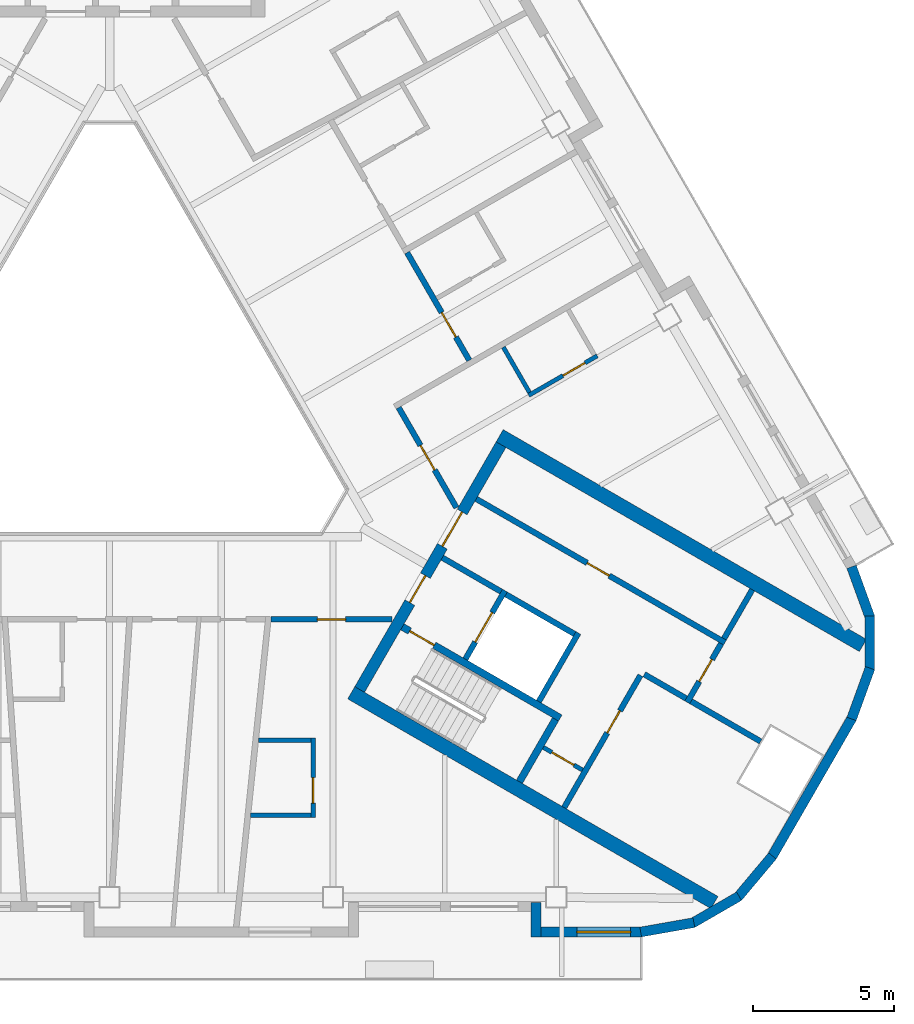
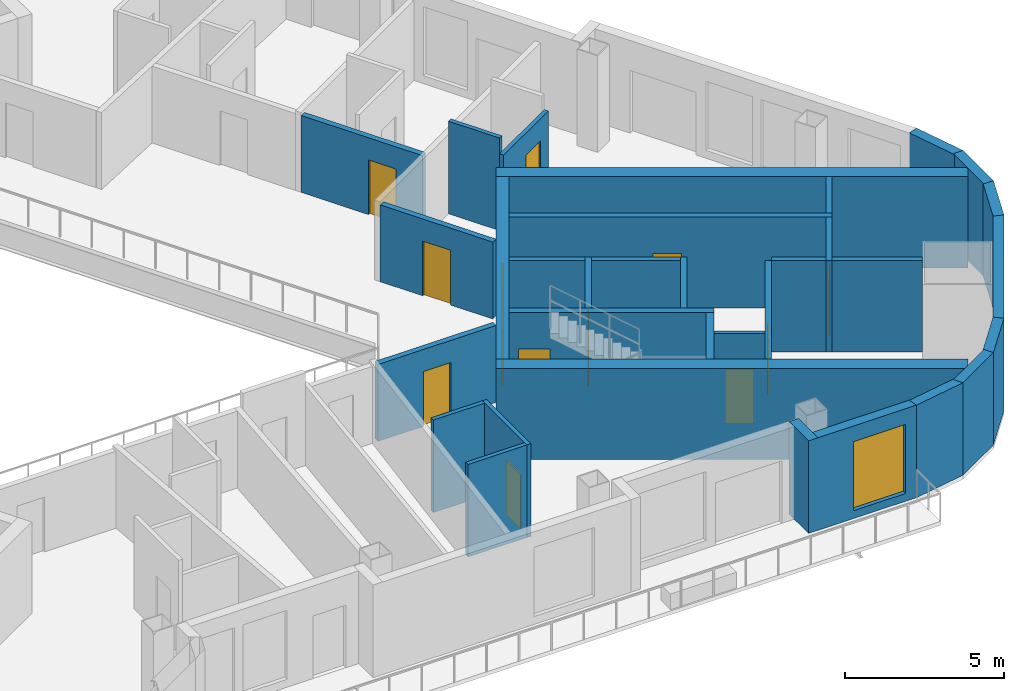
# One storey, part 5 of 14: 33 walls, 13 doors, 1 window, 14 openings.
"""IFC4 building model written with IfcOpenShell, lengths in metres."""

import ifcopenshell
import ifcopenshell.guid

model = None  # the IFC model being written
_history = None  # IfcOwnerHistory: only IFC2X3 demands one
_inside = {}  # id of a spatial element -> (the spatial element, [elements in it])
_under = {}  # id of a project, library or spatial element -> (it, [spatial elements below it])
_declared = {}  # id of a project -> (the project, [libraries it declares])
_typed = {}  # id of a type object -> (the type object, [elements of that type])
_made_of = {}  # id of a material, layer set ... -> (it, [elements and type objects made of it])


def new_model(schema):
    """Start an empty IFC model of exactly this schema.

    Asked for "IFC4X3", IfcOpenShell would pick the latest addendum, in which some entities
    have other attributes; the version numbers below select the first issue.
    IFC2X3 requires an IfcOwnerHistory on every rooted entity: one is made here for all.
    """
    global model, _history
    if schema == "IFC4X3":
        model = ifcopenshell.file(schema_version=(4, 3, 0, 0))
    else:
        model = ifcopenshell.file(schema=schema)
    _inside.clear()
    _under.clear()
    _declared.clear()
    _typed.clear()
    _made_of.clear()
    _history = None
    if model.schema == "IFC2X3":
        org = make("IfcOrganization", Name="unknown")
        user = make(
            "IfcPersonAndOrganization",
            ThePerson=make("IfcPerson", FamilyName="unknown"),
            TheOrganization=org,
        )
        app = make(
            "IfcApplication",
            ApplicationDeveloper=org,
            Version="unknown",
            ApplicationFullName="unknown",
            ApplicationIdentifier="unknown",
        )
        _history = make(
            "IfcOwnerHistory",
            OwningUser=user,
            OwningApplication=app,
            ChangeAction="ADDED",
            CreationDate=0,
        )
    return model


def make(cls, **values):
    """One entity of the class cls with the attributes given. An attribute that is None is left unset."""
    return model.create_entity(
        cls, **{name: value for name, value in values.items() if value is not None}
    )


def rooted(cls, **values):
    """An entity with a GlobalId (a new one), such as an element, a storey or a relation."""
    return make(cls, GlobalId=ifcopenshell.guid.new(), OwnerHistory=_history, **values)


def si_unit(unit_type, name, prefix=None):
    """IfcSIUnit, for example si_unit("LENGTHUNIT", "METRE", prefix="MILLI")."""
    return make("IfcSIUnit", UnitType=unit_type, Prefix=prefix, Name=name)


def assignment(units):
    """IfcUnitAssignment: the units of a project."""
    return None if units is None else make("IfcUnitAssignment", Units=units)


def point(xyz):
    """IfcCartesianPoint."""
    return None if xyz is None else make("IfcCartesianPoint", Coordinates=xyz)


def direction(xyz):
    """IfcDirection."""
    return None if xyz is None else make("IfcDirection", DirectionRatios=xyz)


def frame(location, z_axis=None, x_axis=None):
    """IfcAxis2Placement3D, a coordinate frame: its origin and axes. An axis left out is left unset."""
    return make(
        "IfcAxis2Placement3D",
        Location=point(location),
        Axis=direction(z_axis),
        RefDirection=direction(x_axis),
    )


def frame_2d(location, x_axis=None):
    """IfcAxis2Placement2D, a coordinate frame in the plane: its origin and x axis."""
    return make(
        "IfcAxis2Placement2D", Location=point(location), RefDirection=direction(x_axis)
    )


def origin():
    """The frame at (0, 0, 0) with its axes left unset."""
    return frame((0.0, 0.0, 0.0))


def place(relative_to, where):
    """IfcLocalPlacement: puts the frame where relative to a parent placement (None: the world)."""
    return make(
        "IfcLocalPlacement", PlacementRelTo=relative_to, RelativePlacement=where
    )


def context(
    kind, dimensions, precision=None, world=None, true_north=None, identifier=None
):
    """IfcGeometricRepresentationContext, for example the 3D "Model" context."""
    return make(
        "IfcGeometricRepresentationContext",
        ContextIdentifier=identifier,
        ContextType=kind,
        CoordinateSpaceDimension=dimensions,
        Precision=precision,
        WorldCoordinateSystem=world,
        TrueNorth=true_north,
    )


def subcontext(parent, identifier, kind, view, scale=None):
    """IfcGeometricRepresentationSubContext, for example "Body" below "Model"."""
    return make(
        "IfcGeometricRepresentationSubContext",
        ContextIdentifier=identifier,
        ContextType=kind,
        ParentContext=parent,
        TargetScale=scale,
        TargetView=view,
    )


def project(units=None, contexts=None):
    """IfcProject with its units and contexts."""
    return rooted(
        "IfcProject",
        Name="project",
        RepresentationContexts=contexts,
        UnitsInContext=assignment(units),
    )


def spatial(cls, under=None, at=None, **own):
    """A site, building, storey or space (cls), placed at a placement, below another one or the project."""
    s = rooted(cls, ObjectPlacement=at, **own)
    if under is not None:
        _under.setdefault(under.id(), (under, []))[1].append(s)
    return s


def profile(cls, at=None, kind="AREA", **sizes):
    """A parametric profile (cls). Its sizes go by their IFC names, for example OverallWidth=200.0."""
    return make(cls, ProfileType=kind, Position=at, **sizes)


def rectangle(**sizes):
    """IfcRectangleProfileDef."""
    return profile("IfcRectangleProfileDef", **sizes)


def extrude(swept, where, along, depth):
    """IfcExtrudedAreaSolid: the profile swept, set in the frame where, extruded along a direction by depth."""
    return make(
        "IfcExtrudedAreaSolid",
        SweptArea=swept,
        Position=where,
        ExtrudedDirection=direction(along),
        Depth=depth,
    )


def shape(context_of_items, identifier, shape_type, items):
    """IfcShapeRepresentation: the items that make up one representation, for example the "Body"."""
    return make(
        "IfcShapeRepresentation",
        ContextOfItems=context_of_items,
        RepresentationIdentifier=identifier,
        RepresentationType=shape_type,
        Items=items,
    )


def material(Name=None, Category=None):
    """IfcMaterial."""
    return make("IfcMaterial", Name=Name, Category=Category)


def layer(
    of_material, thickness, ventilated=None, Name=None, Category=None, Priority=None
):
    """IfcMaterialLayer: one layer of a wall or slab, of a material (None: an air gap)."""
    return make(
        "IfcMaterialLayer",
        Material=of_material,
        LayerThickness=thickness,
        IsVentilated=ventilated,
        Name=Name,
        Category=Category,
        Priority=Priority,
    )


def layer_set(layers, Name=None):
    """IfcMaterialLayerSet."""
    return make("IfcMaterialLayerSet", MaterialLayers=layers, LayerSetName=Name)


def made_of(thing, what):
    """Note that an element or type object is made of a material, layer set ...; save() writes the relation."""
    if what is not None:
        _made_of.setdefault(what.id(), (what, []))[1].append(thing)
    return thing


def type_object(cls, material=None, **own):
    """A type object (cls), such as IfcWallType, which elements share."""
    return made_of(rooted(cls, **own), material)


def element(
    cls,
    number,
    at=None,
    inside=None,
    cuts=None,
    type_object=None,
    material=None,
    context=None,
    identifier="Body",
    shape_type=None,
    held_by="IfcProductDefinitionShape",
    body=None,
    shapes=None,
    **own,
):
    """One element of the class cls, such as IfcWall. Its Tag is "e" and its number.

    at: its placement. inside: the storey or other place that contains it. cuts: it is an
    opening in that element (IfcRelVoidsElement). A single representation is given by context,
    identifier, shape_type and body (its items); several are given by shapes. held_by: the class
    of the entity that holds the representations. save() writes the other relations.
    """
    e = rooted(cls, Tag="e%d" % number, ObjectPlacement=at, **own)
    if body is not None:
        shapes = [shape(context, identifier, shape_type, body)]
    if shapes is not None:
        e.Representation = make(held_by, Representations=shapes)
    if inside is not None:
        _inside.setdefault(inside.id(), (inside, []))[1].append(e)
    if cuts is not None:
        rooted(
            "IfcRelVoidsElement", RelatingBuildingElement=cuts, RelatedOpeningElement=e
        )
    if type_object is not None:
        _typed.setdefault(type_object.id(), (type_object, []))[1].append(e)
    return made_of(e, material)


def fill(opening, filler):
    """IfcRelFillsElement: the door or window that sits in an opening."""
    return rooted(
        "IfcRelFillsElement",
        RelatingOpeningElement=opening,
        RelatedBuildingElement=filler,
    )


def aggregate(whole, parts):
    """IfcRelAggregates: a whole, such as a stair, and the parts it consists of."""
    return rooted("IfcRelAggregates", RelatingObject=whole, RelatedObjects=parts)


def save(model, path):
    """Write the relations noted so far, then the file.

    IfcRelAggregates (storeys below a building ...), IfcRelContainedInSpatialStructure (elements
    in a storey), IfcRelDefinesByType, IfcRelAssociatesMaterial and IfcRelDeclares: one each for
    every whole, place, type object, material and project.
    """
    for whole, parts in _under.values():
        aggregate(whole, parts)
    for where, things in _inside.values():
        rooted(
            "IfcRelContainedInSpatialStructure",
            RelatedElements=things,
            RelatingStructure=where,
        )
    for kind, things in _typed.values():
        rooted("IfcRelDefinesByType", RelatedObjects=things, RelatingType=kind)
    for what, things in _made_of.values():
        rooted("IfcRelAssociatesMaterial", RelatedObjects=things, RelatingMaterial=what)
    for by, libraries in _declared.values():
        rooted("IfcRelDeclares", RelatingContext=by, RelatedDefinitions=libraries)
    model.write(path)


model = new_model("IFC4")

# Units and contexts
model_context = context("Model", 3, precision=1e-05, world=origin(), true_north=direction((0.0, 1.0)))
body_context = subcontext(model_context, "Body", "Model", "MODEL_VIEW")
ifc_project = project(units=[si_unit("LENGTHUNIT", "METRE"), si_unit("AREAUNIT", "SQUARE_METRE"), si_unit("VOLUMEUNIT", "CUBIC_METRE"), si_unit("PLANEANGLEUNIT", "RADIAN"), si_unit("MASSUNIT", "GRAM", prefix="KILO")], contexts=[model_context])

# Site, building, storey
site_placement = place(None, origin())
site = spatial("IfcSite", under=ifc_project, at=site_placement, CompositionType="ELEMENT")
building_placement = place(site_placement, origin())
building = spatial("IfcBuilding", under=site, at=building_placement, Name="Apuvela Tower Hotel", CompositionType="ELEMENT")
storey_placement = place(building_placement, frame((0.0, 0.0, 205.800048828125)))
storey = spatial("IfcBuildingStorey", under=building, at=storey_placement, Name="L50", CompositionType="ELEMENT", Elevation=205.800048828125)

# Wall, openings, doors
ifc_material_1 = material(Name="Concrete C50/60", Category="concrete")
ifc_layer_1 = layer(ifc_material_1, 0.39990234375)
ifc_layer_set_1 = layer_set([ifc_layer_1], Name="COR-WALL-CORE-400")
wall_type_1 = type_object("IfcWallType", Name="COR-WALL-CORE-400", PredefinedType="SHEAR", material=ifc_layer_set_1)
wall_1_placement = place(storey_placement, frame((8.844970703125, -10.880126953125, 0.0), z_axis=(0.0, 0.0, 1.0), x_axis=(0.500004234368, 0.866022959057, 0.0)))
wall_1 = element("IfcWall", 1, at=wall_1_placement, inside=storey, type_object=wall_type_1, Name="Core wall SE", PredefinedType="SHEAR", context=body_context, shape_type="SweptSolid", body=[
    extrude(rectangle(XDim=10.0, YDim=0.39990234375, at=frame_2d((5.0, 0.0))), origin(), (0.0, 0.0, 1.0), 3.5),
])
opening_1_placement = place(wall_1_placement, frame((3.550048828125, 0.0, 0.0)))
opening_1 = element("IfcOpeningElement", 2, at=opening_1_placement, cuts=wall_1, Name="Opening E-FD", PredefinedType="OPENING", context=body_context, shape_type="SweptSolid", body=[
    extrude(rectangle(XDim=1.10009765625, YDim=2.10009765625, at=frame_2d((0.550048828125, 1.050048828125))), frame((0.0, 0.2099609375, 0.0), z_axis=(0.0, -1.0, 0.0), x_axis=(1.0, 0.0, 0.0)), (0.0, 0.0, 1.0), 0.419921875),
])
opening_2_placement = place(wall_1_placement, frame((5.85009765625, 0.0, 0.0)))
opening_2 = element("IfcOpeningElement", 3, at=opening_2_placement, cuts=wall_1, Name="Opening E-GD", PredefinedType="OPENING", context=body_context, shape_type="SweptSolid", body=[
    extrude(rectangle(XDim=1.39990234375, YDim=2.10009765625, at=frame_2d((0.699951171875, 1.050048828125))), frame((0.0, 0.2099609375, 0.0), z_axis=(0.0, -1.0, 0.0), x_axis=(1.0, 0.0, 0.0)), (0.0, 0.0, 1.0), 0.419921875),
])
ifc_material_2 = material(Name="Steel fire door, powder coated", Category="steel")
door_type_1 = type_object("IfcDoorType", Name="COR-FD-1100", OperationType="NOTDEFINED", PredefinedType="DOOR", material=ifc_material_2)
door_1_placement = place(opening_1_placement, frame((1.10009765625, 0.0, 0.0), z_axis=(0.0, 0.0, 1.0), x_axis=(-1.0, 0.0, 0.0)))
door_1 = element("IfcDoor", 4, at=door_1_placement, inside=storey, type_object=door_type_1, Name="Firefighting lobby door E-FD", OperationType="SINGLE_SWING_LEFT", OverallHeight=2.10009765625, OverallWidth=1.10009765625, PredefinedType="DOOR", context=body_context, shape_type="SweptSolid", body=[
    extrude(rectangle(XDim=1.10009765625, YDim=2.10009765625, at=frame_2d((0.550048828125, 1.050048828125))), frame((0.0, 0.02490234375, 0.0), z_axis=(0.0, -1.0, 0.0), x_axis=(1.0, 0.0, 0.0)), (0.0, 0.0, 1.0), 0.050048828125),
])
fill(opening_1, door_1)
ifc_material_3 = material(Name="Glazed steel fire door", Category="steel")
door_type_2 = type_object("IfcDoorType", Name="COR-GD-1400", OperationType="DOUBLE_DOOR_SINGLE_SWING", PredefinedType="DOOR", material=ifc_material_3)
door_2_placement = place(opening_2_placement, frame((1.39990234375, 0.0, 0.0), z_axis=(0.0, 0.0, 1.0), x_axis=(-1.0, 0.0, 0.0)))
door_2 = element("IfcDoor", 5, at=door_2_placement, inside=storey, type_object=door_type_2, Name="Lift lobby door E-GD", OperationType="DOUBLE_DOOR_SINGLE_SWING", OverallHeight=2.10009765625, OverallWidth=1.39990234375, PredefinedType="DOOR", context=body_context, shape_type="SweptSolid", body=[
    extrude(rectangle(XDim=1.39990234375, YDim=2.10009765625, at=frame_2d((0.699951171875, 1.050048828125))), frame((0.0, 0.02490234375, 0.0), z_axis=(0.0, -1.0, 0.0), x_axis=(1.0, 0.0, 0.0)), (0.0, 0.0, 1.0), 0.050048828125),
])
fill(opening_2, door_2)

# Walls
ifc_layer_2 = layer(ifc_material_1, 0.5)
ifc_layer_set_2 = layer_set([ifc_layer_2], Name="COR-WALL-CORE-500")
wall_type_2 = type_object("IfcWallType", Name="COR-WALL-CORE-500", PredefinedType="SHEAR", material=ifc_layer_set_2)
for number, where, z_axis, x_axis, name in (
    (6, (8.546630859375, -10.99658203125, 0.0), (0.0, 0.0, 1.0), (0.866025009528, -0.500000682871, 0.0), "Core wall SE"),
    (7, (13.796630859375, -1.9033203125, 0.0), (0.0, 0.0, 1.0), (0.866025009528, -0.500000682871, 0.0), "Core wall SE"),
):
    element("IfcWall", number, at=place(storey_placement, frame(where, z_axis=z_axis, x_axis=x_axis)), inside=storey, type_object=wall_type_2, Name=name, PredefinedType="SHEAR", context=body_context, shape_type="SweptSolid", body=[
        extrude(rectangle(XDim=14.8369140625, YDim=0.5, at=frame_2d((7.41845703125, 0.0))), origin(), (0.0, 0.0, 1.0), 3.5),
    ])

# Wall, opening, door
ifc_material_4 = material(Name="Blockwork 150 mm plastered", Category="masonry")
ifc_layer_3 = layer(ifc_material_4, 0.14990234375)
ifc_layer_set_3 = layer_set([ifc_layer_3], Name="COR-WALL-PART-150")
wall_type_3 = type_object("IfcWallType", Name="COR-WALL-PART-150", PredefinedType="PARTITIONING", material=ifc_layer_set_3)
wall_2_placement = place(storey_placement, frame((15.341552734375, -12.927734375, 0.0), z_axis=(0.0, 0.0, 1.0), x_axis=(0.865989903783, -0.500061482766, 0.0)))
wall_2 = element("IfcWall", 8, at=wall_2_placement, inside=storey, type_object=wall_type_3, Name="Partition SE", PredefinedType="PARTITIONING", context=body_context, shape_type="SweptSolid", body=[
    extrude(rectangle(XDim=1.599853515625, YDim=0.14990234375, at=frame_2d((0.7998046875, 0.0))), origin(), (0.0, 0.0, 1.0), 3.5),
])
opening_3_placement = place(wall_2_placement, frame((0.35009765625, 0.0, 0.0)))
opening_3 = element("IfcOpeningElement", 9, at=opening_3_placement, cuts=wall_2, Name="Opening E-RD", PredefinedType="OPENING", context=body_context, shape_type="SweptSolid", body=[
    extrude(rectangle(XDim=0.89990234375, YDim=2.10009765625, at=frame_2d((0.449951171875, 1.050048828125))), frame((0.0, 0.0849609375, 0.0), z_axis=(0.0, -1.0, 0.0), x_axis=(1.0, 0.0, 0.0)), (0.0, 0.0, 1.0), 0.169921875),
])
ifc_material_5 = material(Name="Steel access door, powder coated", Category="steel")
door_type_3 = type_object("IfcDoorType", Name="COR-RD-900", OperationType="NOTDEFINED", PredefinedType="DOOR", material=ifc_material_5)
door_3_placement = place(opening_3_placement, frame((0.89990234375, 0.0, 0.0), z_axis=(0.0, 0.0, 1.0), x_axis=(-1.0, 0.0, 0.0)))
door_3 = element("IfcDoor", 10, at=door_3_placement, inside=storey, type_object=door_type_3, Name="Riser door E-RD", OperationType="SINGLE_SWING_LEFT", OverallHeight=2.10009765625, OverallWidth=0.89990234375, PredefinedType="DOOR", context=body_context, shape_type="SweptSolid", body=[
    extrude(rectangle(XDim=0.89990234375, YDim=2.10009765625, at=frame_2d((0.449951171875, 1.050048828125))), frame((0.0, 0.02490234375, 0.0), z_axis=(0.0, -1.0, 0.0), x_axis=(1.0, 0.0, 0.0)), (0.0, 0.0, 1.0), 0.050048828125),
])
fill(opening_3, door_3)

ifc_material_6 = material(Name="Blockwork 200 mm plastered", Category="masonry")
ifc_layer_4 = layer(ifc_material_6, 0.199951171875)
ifc_layer_set_4 = layer_set([ifc_layer_4], Name="COR-WALL-PART-200")
wall_type_4 = type_object("IfcWallType", Name="COR-WALL-PART-200", PredefinedType="PARTITIONING", material=ifc_layer_set_4)
wall_3_placement = place(storey_placement, frame((16.076171875, -15.05517578125, 0.0), z_axis=(0.0, 0.0, 1.0), x_axis=(0.499995103361, 0.866028230842, 0.0)))
wall_3 = element("IfcWall", 11, at=wall_3_placement, inside=storey, type_object=wall_type_4, Name="Partition SE", PredefinedType="PARTITIONING", context=body_context, shape_type="SweptSolid", body=[
    extrude(rectangle(XDim=5.39990234375, YDim=0.199951171875, at=frame_2d((2.699951171875, 0.0))), origin(), (0.0, 0.0, 1.0), 3.5),
])
opening_4_placement = place(wall_3_placement, frame((3.050048828125, 0.0, 0.0)))
opening_4 = element("IfcOpeningElement", 12, at=opening_4_placement, cuts=wall_3, Name="Opening E-RS1", PredefinedType="OPENING", context=body_context, shape_type="SweptSolid", body=[
    extrude(rectangle(XDim=0.89990234375, YDim=2.10009765625, at=frame_2d((0.449951171875, 1.050048828125))), frame((0.0, 0.10986328125, 0.0), z_axis=(0.0, -1.0, 0.0), x_axis=(1.0, 0.0, 0.0)), (0.0, 0.0, 1.0), 0.219970703125),
])
door_type_4 = type_object("IfcDoorType", Name="COR-DR-900", OperationType="NOTDEFINED", PredefinedType="DOOR", material=ifc_material_2)
door_4_placement = place(opening_4_placement, frame((0.89990234375, 0.0, 0.0), z_axis=(0.0, 0.0, 1.0), x_axis=(-1.0, 0.0, 0.0)))
door_4 = element("IfcDoor", 13, at=door_4_placement, inside=storey, type_object=door_type_4, Name="Store door E-RS1", OperationType="SINGLE_SWING_LEFT", OverallHeight=2.10009765625, OverallWidth=0.89990234375, PredefinedType="DOOR", context=body_context, shape_type="SweptSolid", body=[
    extrude(rectangle(XDim=0.89990234375, YDim=2.10009765625, at=frame_2d((0.449951171875, 1.050048828125))), frame((0.0, 0.02490234375, 0.0), z_axis=(0.0, -1.0, 0.0), x_axis=(1.0, 0.0, 0.0)), (0.0, 0.0, 1.0), 0.050048828125),
])
fill(opening_4, door_4)

# Wall
ifc_layer_5 = layer(ifc_material_1, 0.199951171875)
ifc_layer_set_5 = layer_set([ifc_layer_5], Name="COR-WALL-SHAFT-200")
wall_type_5 = type_object("IfcWallType", Name="COR-WALL-SHAFT-200", PredefinedType="SHEAR", material=ifc_layer_set_5)
wall_4_placement = place(storey_placement, frame((15.181396484375, -11.305419921875, 0.0), z_axis=(0.0, 0.0, 1.0), x_axis=(0.49994636267, 0.866056369097, 0.0)))
element("IfcWall", 14, at=wall_4_placement, inside=storey, type_object=wall_type_5, Name="Shaft wall SE", PredefinedType="SHEAR", context=body_context, shape_type="SweptSolid", body=[
    extrude(rectangle(XDim=2.800048828125, YDim=0.199951171875, at=frame_2d((1.39990234375, 0.0))), origin(), (0.0, 0.0, 1.0), 3.5),
])

# Wall, opening, door
wall_5_placement = place(storey_placement, frame((12.583251953125, -9.805419921875, 0.0), z_axis=(0.0, 0.0, 1.0), x_axis=(0.49994636267, 0.866056369097, 0.0)))
wall_5 = element("IfcWall", 15, at=wall_5_placement, inside=storey, type_object=wall_type_5, Name="Shaft wall SE", PredefinedType="SHEAR", context=body_context, shape_type="SweptSolid", body=[
    extrude(rectangle(XDim=2.800048828125, YDim=0.199951171875, at=frame_2d((1.39990234375, 0.0))), origin(), (0.0, 0.0, 1.0), 3.5),
])
opening_5_placement = place(wall_5_placement, frame((0.699951171875, 0.0, 0.0)))
opening_5 = element("IfcOpeningElement", 16, at=opening_5_placement, cuts=wall_5, Name="Opening E-LD-FS3", PredefinedType="OPENING", context=body_context, shape_type="SweptSolid", body=[
    extrude(rectangle(XDim=1.199951171875, YDim=2.10009765625, at=frame_2d((0.60009765625, 1.050048828125))), frame((0.0, 0.10986328125, 0.0), z_axis=(0.0, -1.0, 0.0), x_axis=(1.0, 0.0, 0.0)), (0.0, 0.0, 1.0), 0.219970703125),
])
ifc_material_7 = material(Name="Stainless steel lift landing door", Category="steel")
door_type_5 = type_object("IfcDoorType", Name="COR-LD-1200", OperationType="DOUBLE_DOOR_SLIDING", PredefinedType="DOOR", material=ifc_material_7)
door_5_placement = place(opening_5_placement, origin())
door_5 = element("IfcDoor", 17, at=door_5_placement, inside=storey, type_object=door_type_5, Name="Lift landing door E-LD-FS3", OperationType="DOUBLE_DOOR_SLIDING", OverallHeight=2.10009765625, OverallWidth=1.199951171875, PredefinedType="DOOR", context=body_context, shape_type="SweptSolid", body=[
    extrude(rectangle(XDim=1.199951171875, YDim=2.10009765625, at=frame_2d((0.60009765625, 1.050048828125))), frame((0.0, 0.02490234375, 0.0), z_axis=(0.0, -1.0, 0.0), x_axis=(1.0, 0.0, 0.0)), (0.0, 0.0, 1.0), 0.050048828125),
])
fill(opening_5, door_5)

# Walls
wall_6_placement = place(storey_placement, frame((11.76806640625, -6.217041015625, 0.0), z_axis=(0.0, 0.0, 1.0), x_axis=(0.866050077142, -0.499957262057, 0.0)))
element("IfcWall", 18, at=wall_6_placement, inside=storey, type_object=wall_type_5, Name="Shaft wall SE", PredefinedType="SHEAR", context=body_context, shape_type="SweptSolid", body=[
    extrude(rectangle(XDim=2.400146484375, YDim=0.199951171875, at=frame_2d((1.2001953125, 0.0))), origin(), (0.0, 0.0, 1.0), 3.5),
])
wall_7_placement = place(storey_placement, frame((14.019775390625, -7.51708984375, 0.0), z_axis=(0.0, 0.0, 1.0), x_axis=(0.866034573852, -0.49998411664, 0.0)))
element("IfcWall", 19, at=wall_7_placement, inside=storey, type_object=wall_type_5, Name="Shaft wall SE", PredefinedType="SHEAR", context=body_context, shape_type="SweptSolid", body=[
    extrude(rectangle(XDim=2.7998046875, YDim=0.199951171875, at=frame_2d((1.39990234375, 0.0))), origin(), (0.0, 0.0, 1.0), 3.5),
])

# Wall, opening, door
wall_8_placement = place(storey_placement, frame((12.968017578125, -4.138427734375, 0.0), z_axis=(0.0, 0.0, 1.0), x_axis=(0.866028328073, -0.49999493495, 0.0)))
wall_8 = element("IfcWall", 20, at=wall_8_placement, inside=storey, type_object=wall_type_5, Name="Shaft wall SE", PredefinedType="SHEAR", context=body_context, shape_type="SweptSolid", body=[
    extrude(rectangle(XDim=10.16015625, YDim=0.199951171875, at=frame_2d((5.080078125, 0.0))), origin(), (0.0, 0.0, 1.0), 3.5),
])
opening_6_placement = place(wall_8_placement, frame((4.530029296875, 0.0, 0.0)))
opening_6 = element("IfcOpeningElement", 21, at=opening_6_placement, cuts=wall_8, Name="Opening E-RE1", PredefinedType="OPENING", context=body_context, shape_type="SweptSolid", body=[
    extrude(rectangle(XDim=0.89990234375, YDim=2.10009765625, at=frame_2d((0.449951171875, 1.050048828125))), frame((0.0, 0.10986328125, 0.0), z_axis=(0.0, -1.0, 0.0), x_axis=(1.0, 0.0, 0.0)), (0.0, 0.0, 1.0), 0.219970703125),
])
door_6_placement = place(opening_6_placement, origin())
door_6 = element("IfcDoor", 22, at=door_6_placement, inside=storey, type_object=door_type_4, Name="Store door E-RE1", OperationType="SINGLE_SWING_LEFT", OverallHeight=2.10009765625, OverallWidth=0.89990234375, PredefinedType="DOOR", context=body_context, shape_type="SweptSolid", body=[
    extrude(rectangle(XDim=0.89990234375, YDim=2.10009765625, at=frame_2d((0.449951171875, 1.050048828125))), frame((0.0, 0.02490234375, 0.0), z_axis=(0.0, -1.0, 0.0), x_axis=(1.0, 0.0, 0.0)), (0.0, 0.0, 1.0), 0.050048828125),
])
fill(opening_6, door_6)

wall_9_placement = place(storey_placement, frame((20.430419921875, -11.33349609375, 0.0), z_axis=(0.0, 0.0, 1.0), x_axis=(0.500001309137, 0.866024647952, 0.0)))
wall_9 = element("IfcWall", 23, at=wall_9_placement, inside=storey, type_object=wall_type_5, Name="Shaft wall SE", PredefinedType="SHEAR", context=body_context, shape_type="SweptSolid", body=[
    extrude(rectangle(XDim=2.39990234375, YDim=0.199951171875, at=frame_2d((1.199951171875, 0.0))), origin(), (0.0, 0.0, 1.0), 3.5),
])
opening_7_placement = place(wall_9_placement, frame((0.85009765625, 0.0, 0.0)))
opening_7 = element("IfcOpeningElement", 24, at=opening_7_placement, cuts=wall_9, Name="Opening E-REP", PredefinedType="OPENING", context=body_context, shape_type="SweptSolid", body=[
    extrude(rectangle(XDim=0.89990234375, YDim=2.10009765625, at=frame_2d((0.449951171875, 1.050048828125))), frame((0.0, 0.10986328125, 0.0), z_axis=(0.0, -1.0, 0.0), x_axis=(1.0, 0.0, 0.0)), (0.0, 0.0, 1.0), 0.219970703125),
])
door_7_placement = place(opening_7_placement, frame((0.89990234375, 0.0, 0.0), z_axis=(0.0, 0.0, 1.0), x_axis=(-1.0, 0.0, 0.0)))
door_7 = element("IfcDoor", 25, at=door_7_placement, inside=storey, type_object=door_type_4, Name="Store door E-REP", OperationType="SINGLE_SWING_RIGHT", OverallHeight=2.10009765625, OverallWidth=0.89990234375, PredefinedType="DOOR", context=body_context, shape_type="SweptSolid", body=[
    extrude(rectangle(XDim=0.89990234375, YDim=2.10009765625, at=frame_2d((0.449951171875, 1.050048828125))), frame((0.0, 0.02490234375, 0.0), z_axis=(0.0, -1.0, 0.0), x_axis=(1.0, 0.0, 0.0)), (0.0, 0.0, 1.0), 0.050048828125),
])
fill(opening_7, door_7)

# Walls
wall_10_placement = place(storey_placement, frame((18.912841796875, -10.342041015625, 0.0), z_axis=(0.0, 0.0, 1.0), x_axis=(0.866038183914, -0.499977863513, 0.0)))
element("IfcWall", 26, at=wall_10_placement, inside=storey, type_object=wall_type_5, Name="Shaft wall SE", PredefinedType="SHEAR", context=body_context, shape_type="SweptSolid", body=[
    extrude(rectangle(XDim=1.7099609375, YDim=0.199951171875, at=frame_2d((0.85498046875, 0.0))), origin(), (0.0, 0.0, 1.0), 3.5),
])
wall_11_placement = place(storey_placement, frame((21.73046875, -9.081787109375, 0.0), z_axis=(0.0, 0.0, 1.0), x_axis=(0.50002537861, 0.866010750942, 0.0)))
element("IfcWall", 27, at=wall_11_placement, inside=storey, type_object=wall_type_5, Name="Shaft wall SE", PredefinedType="SHEAR", context=body_context, shape_type="SweptSolid", body=[
    extrude(rectangle(XDim=2.0, YDim=0.199951171875, at=frame_2d((1.0, 0.0))), origin(), (0.0, 0.0, 1.0), 3.5),
])
wall_12_placement = place(storey_placement, frame((20.56689453125, -11.297119140625, 0.0), z_axis=(0.0, 0.0, 1.0), x_axis=(0.866055327414, -0.49994816717, 0.0)))
element("IfcWall", 28, at=wall_12_placement, inside=storey, type_object=wall_type_5, Name="Shaft wall SE", PredefinedType="SHEAR", context=body_context, shape_type="SweptSolid", body=[
    extrude(rectangle(XDim=2.840087890625, YDim=0.199951171875, at=frame_2d((1.419921875, 0.0))), origin(), (0.0, 0.0, 1.0), 3.5),
])

# Wall, opening, door
ifc_layer_6 = layer(ifc_material_1, 0.25)
ifc_layer_set_6 = layer_set([ifc_layer_6], Name="COR-WALL-STAIR-250")
wall_type_6 = type_object("IfcWallType", Name="COR-WALL-STAIR-250", PredefinedType="SHEAR", material=ifc_layer_set_6)
wall_13_placement = place(storey_placement, frame((10.355712890625, -8.66357421875, 0.0), z_axis=(0.0, 0.0, 1.0), x_axis=(0.866028629588, -0.499994412703, 0.0)))
wall_13 = element("IfcWall", 29, at=wall_13_placement, inside=storey, type_object=wall_type_6, Name="Stair wall SE", PredefinedType="SHEAR", context=body_context, shape_type="SweptSolid", body=[
    extrude(rectangle(XDim=6.44970703125, YDim=0.25, at=frame_2d((3.224853515625, 0.0))), origin(), (0.0, 0.0, 1.0), 3.5),
])
opening_8_placement = place(wall_13_placement, frame((0.300048828125, 0.0, 0.0)))
opening_8 = element("IfcOpeningElement", 30, at=opening_8_placement, cuts=wall_13, Name="Opening E-SD", PredefinedType="OPENING", context=body_context, shape_type="SweptSolid", body=[
    extrude(rectangle(XDim=1.0, YDim=2.10009765625, at=frame_2d((0.5, 1.050048828125))), frame((0.0, 0.135009765625, 0.0), z_axis=(0.0, -1.0, 0.0), x_axis=(1.0, 0.0, 0.0)), (0.0, 0.0, 1.0), 0.27001953125),
])
door_type_6 = type_object("IfcDoorType", Name="COR-SD-1000", OperationType="NOTDEFINED", PredefinedType="DOOR", material=ifc_material_2)
door_8_placement = place(opening_8_placement, frame((1.0, 0.0, 0.0), z_axis=(0.0, 0.0, 1.0), x_axis=(-1.0, 0.0, 0.0)))
door_8 = element("IfcDoor", 31, at=door_8_placement, inside=storey, type_object=door_type_6, Name="Stair door E-SD", OperationType="SINGLE_SWING_LEFT", OverallHeight=2.10009765625, OverallWidth=1.0, PredefinedType="DOOR", context=body_context, shape_type="SweptSolid", body=[
    extrude(rectangle(XDim=1.0, YDim=2.10009765625, at=frame_2d((0.5, 1.050048828125))), frame((0.0, 0.02490234375, 0.0), z_axis=(0.0, -1.0, 0.0), x_axis=(1.0, 0.0, 0.0)), (0.0, 0.0, 1.0), 0.050048828125),
])
fill(opening_8, door_8)

# Walls
wall_14_placement = place(storey_placement, frame((14.49560546875, -14.142578125, 0.0), z_axis=(0.0, 0.0, 1.0), x_axis=(0.500062241894, 0.865989465428, 0.0)))
element("IfcWall", 32, at=wall_14_placement, inside=storey, type_object=wall_type_6, Name="Stair wall SE", PredefinedType="SHEAR", context=body_context, shape_type="SweptSolid", body=[
    extrude(rectangle(XDim=2.550048828125, YDim=0.25, at=frame_2d((1.27490234375, 0.0))), origin(), (0.0, 0.0, 1.0), 3.5),
])
ifc_material_8 = material(Name="Concrete C40/50, dark pigmented precast panel", Category="concrete")
ifc_layer_7 = layer(ifc_material_8, 0.35009765625)
ifc_layer_set_7 = layer_set([ifc_layer_7], Name="ENV-WALL-350")
wall_type_7 = type_object("IfcWallType", Name="ENV-WALL-350", PredefinedType="SOLIDWALL", material=ifc_layer_set_7)
wall_15_placement = place(storey_placement, frame((15.074951171875, -18.409912109375, 0.0), z_axis=(0.0, 0.0, 1.0), x_axis=(0.0, -1.0, 0.0)))
element("IfcWall", 33, at=wall_15_placement, inside=storey, type_object=wall_type_7, Name="External wall L50-24", PredefinedType="SOLIDWALL", context=body_context, shape_type="SweptSolid", body=[
    extrude(rectangle(XDim=1.219970703125, YDim=0.35009765625, at=frame_2d((0.60986328125, 0.0))), origin(), (0.0, 0.0, 1.0), 3.550048828125),
])

# Wall, opening, window
wall_16_placement = place(storey_placement, frame((14.89990234375, -19.455078125, 0.0), z_axis=(0.0, 0.0, 1.0), x_axis=(1.0, 0.0, 0.0)))
wall_16 = element("IfcWall", 34, at=wall_16_placement, inside=storey, type_object=wall_type_7, Name="External wall L50-25", PredefinedType="SOLIDWALL", context=body_context, shape_type="SweptSolid", body=[
    extrude(rectangle(XDim=3.916015625, YDim=0.35009765625, at=frame_2d((1.9580078125, 0.0))), origin(), (0.0, 0.0, 1.0), 3.550048828125),
])
opening_9_placement = place(wall_16_placement, frame((1.624755859375, 0.0, 0.300048828125)))
opening_9 = element("IfcOpeningElement", 35, at=opening_9_placement, cuts=wall_16, Name="Opening WN19", PredefinedType="OPENING", context=body_context, shape_type="SweptSolid", body=[
    extrude(rectangle(XDim=1.89990234375, YDim=2.64990234375, at=frame_2d((0.949951171875, 1.324951171875))), frame((0.0, 0.18505859375, 0.0), z_axis=(0.0, -1.0, 0.0), x_axis=(1.0, 0.0, 0.0)), (0.0, 0.0, 1.0), 0.3701171875),
])
ifc_material_9 = material(Name="Glass, dark tinted laminated insulated glazing unit", Category="glass")
window_type = type_object("IfcWindowType", Name="ENV-WIN-1900x2650", PartitioningType="SINGLE_PANEL", PredefinedType="WINDOW", material=ifc_material_9)
window_placement = place(opening_9_placement, origin())
window = element("IfcWindow", 36, at=window_placement, inside=storey, type_object=window_type, Name="Window WN19", OverallHeight=2.64990234375, OverallWidth=1.89990234375, PartitioningType="SINGLE_PANEL", PredefinedType="WINDOW", context=body_context, shape_type="SweptSolid", body=[
    extrude(rectangle(XDim=1.89990234375, YDim=2.64990234375, at=frame_2d((0.949951171875, 1.324951171875))), frame((0.0, 0.030029296875, 0.0), z_axis=(0.0, -1.0, 0.0), x_axis=(1.0, 0.0, 0.0)), (0.0, 0.0, 1.0), 0.06005859375),
])
fill(opening_9, window)

# Walls
wall_17_placement = place(storey_placement, frame((18.785400390625, -19.457763671875, 0.0), z_axis=(0.0, 0.0, 1.0), x_axis=(0.984798995425, 0.173697837091, 0.0)))
element("IfcWall", 37, at=wall_17_placement, inside=storey, type_object=wall_type_7, Name="External wall L50-26", PredefinedType="SOLIDWALL", context=body_context, shape_type="SweptSolid", body=[
    extrude(rectangle(XDim=1.91015625, YDim=0.35009765625, at=frame_2d((0.955078125, 0.0))), origin(), (0.0, 0.0, 1.0), 3.550048828125),
])
for number, where, z_axis, x_axis, name in (
    (38, (20.609619140625, -19.146728515625, 0.0), (0.0, 0.0, 1.0), (0.866000389056, 0.500043324278, 0.0), "External wall L50-27"),
    (39, (22.21728515625, -18.230712890625, 0.0), (0.0, 0.0, 1.0), (0.642733291068, 0.76609001857, 0.0), "External wall L50-28"),
):
    element("IfcWall", number, at=place(storey_placement, frame(where, z_axis=z_axis, x_axis=x_axis)), inside=storey, type_object=wall_type_7, Name=name, PredefinedType="SOLIDWALL", context=body_context, shape_type="SweptSolid", body=[
        extrude(rectangle(XDim=1.909912109375, YDim=0.35009765625, at=frame_2d((0.955078125, 0.0))), origin(), (0.0, 0.0, 1.0), 3.550048828125),
    ])
wall_18_placement = place(storey_placement, frame((23.427490234375, -16.79248046875, 0.0), z_axis=(0.0, 0.0, 1.0), x_axis=(0.500018773155, 0.866014564827, 0.0)))
element("IfcWall", 40, at=wall_18_placement, inside=storey, type_object=wall_type_7, Name="External wall L50-29", PredefinedType="SOLIDWALL", context=body_context, shape_type="SweptSolid", body=[
    extrude(rectangle(XDim=5.657958984375, YDim=0.35009765625, at=frame_2d((2.8291015625, 0.0))), origin(), (0.0, 0.0, 1.0), 3.550048828125),
])
for number, where, z_axis, x_axis, name in (
    (41, (26.24365234375, -11.920166015625, 0.0), (0.0, 0.0, 1.0), (0.342030395486, 0.939688889242, 0.0), "External wall L50-30"),
    (42, (26.88623046875, -10.18505859375, 0.0), (0.0, 0.0, 1.0), (0.0, 1.0, 0.0), "External wall L50-31"),
    (43, (26.89697265625, -8.334716796875, 0.0), (0.0, 0.0, 1.0), (-0.342030395486, 0.939688889242, 0.0), "External wall L50-32"),
):
    element("IfcWall", number, at=place(storey_placement, frame(where, z_axis=z_axis, x_axis=x_axis)), inside=storey, type_object=wall_type_7, Name=name, PredefinedType="SOLIDWALL", context=body_context, shape_type="SweptSolid", body=[
        extrude(rectangle(XDim=1.91015625, YDim=0.35009765625, at=frame_2d((0.955078125, 0.0))), origin(), (0.0, 0.0, 1.0), 3.550048828125),
    ])

# Wall, opening, door
ifc_material_10 = material(Name="Gypsum board corridor wall on twin steel stud, acoustic", Category="steel")
ifc_layer_8 = layer(ifc_material_10, 0.199951171875)
ifc_layer_set_8 = layer_set([ifc_layer_8], Name="GST-PW2")
wall_type_8 = type_object("IfcWallType", Name="GST-PW2", PredefinedType="PARTITIONING", material=ifc_layer_set_8)
wall_19_placement = place(storey_placement, frame((9.98828125, -8.39990234375, 0.0), z_axis=(0.0, 0.0, 1.0), x_axis=(-1.0, 0.0, 0.0)))
wall_19 = element("IfcWall", 44, at=wall_19_placement, inside=storey, type_object=wall_type_8, Name="L50 partition 21", PredefinedType="PARTITIONING", context=body_context, shape_type="SweptSolid", body=[
    extrude(rectangle(XDim=4.27734375, YDim=0.199951171875, at=frame_2d((2.138671875, 0.0))), origin(), (0.0, 0.0, 1.0), 2.949951171875),
])
opening_10_placement = place(wall_19_placement, frame((1.638671875, 0.0, 0.0)))
opening_10 = element("IfcOpeningElement", 45, at=opening_10_placement, cuts=wall_19, Name="Opening GD19-08", PredefinedType="OPENING", context=body_context, shape_type="SweptSolid", body=[
    extrude(rectangle(XDim=1.0, YDim=2.10009765625, at=frame_2d((0.5, 1.050048828125))), frame((0.0, 0.10986328125, 0.0), z_axis=(0.0, -1.0, 0.0), x_axis=(1.0, 0.0, 0.0)), (0.0, 0.0, 1.0), 0.219970703125),
])
ifc_material_11 = material(Name="Timber door leaf in steel frame", Category="steel")
door_type_7 = type_object("IfcDoorType", Name="GST-D1", OperationType="NOTDEFINED", PredefinedType="DOOR", material=ifc_material_11)
door_9_placement = place(opening_10_placement, origin())
door_9 = element("IfcDoor", 46, at=door_9_placement, inside=storey, type_object=door_type_7, Name="Door L50-08", OperationType="SINGLE_SWING_RIGHT", OverallHeight=2.10009765625, OverallWidth=1.0, PredefinedType="DOOR", context=body_context, shape_type="SweptSolid", body=[
    extrude(rectangle(XDim=1.0, YDim=2.10009765625, at=frame_2d((0.5, 1.050048828125))), frame((0.0, 0.02490234375, 0.0), z_axis=(0.0, -1.0, 0.0), x_axis=(1.0, 0.0, 0.0)), (0.0, 0.0, 1.0), 0.050048828125),
])
fill(opening_10, door_9)

wall_20_placement = place(storey_placement, frame((10.224609375, -0.909423828125, 0.0), z_axis=(0.0, 0.0, 1.0), x_axis=(0.500011931275, -0.86601851515, 0.0)))
wall_20 = element("IfcWall", 47, at=wall_20_placement, inside=storey, type_object=wall_type_8, Name="L50 partition 25", PredefinedType="PARTITIONING", context=body_context, shape_type="SweptSolid", body=[
    extrude(rectangle(XDim=4.08837890625, YDim=0.199951171875, at=frame_2d((2.044189453125, 0.0))), origin(), (0.0, 0.0, 1.0), 2.949951171875),
])
opening_11_placement = place(wall_20_placement, frame((1.544189453125, 0.0, 0.0)))
opening_11 = element("IfcOpeningElement", 48, at=opening_11_placement, cuts=wall_20, Name="Opening GD19-10", PredefinedType="OPENING", context=body_context, shape_type="SweptSolid", body=[
    extrude(rectangle(XDim=1.0, YDim=2.10009765625, at=frame_2d((0.5, 1.050048828125))), frame((0.0, 0.10986328125, 0.0), z_axis=(0.0, -1.0, 0.0), x_axis=(1.0, 0.0, 0.0)), (0.0, 0.0, 1.0), 0.219970703125),
])
door_10_placement = place(opening_11_placement, origin())
door_10 = element("IfcDoor", 49, at=door_10_placement, inside=storey, type_object=door_type_7, Name="Door L50-10", OperationType="SINGLE_SWING_LEFT", OverallHeight=2.10009765625, OverallWidth=1.0, PredefinedType="DOOR", context=body_context, shape_type="SweptSolid", body=[
    extrude(rectangle(XDim=1.0, YDim=2.10009765625, at=frame_2d((0.5, 1.050048828125))), frame((0.0, 0.02490234375, 0.0), z_axis=(0.0, -1.0, 0.0), x_axis=(1.0, 0.0, 0.0)), (0.0, 0.0, 1.0), 0.050048828125),
])
fill(opening_11, door_10)

wall_21_placement = place(storey_placement, frame((10.522705078125, 4.57421875, 0.0), z_axis=(0.0, 0.0, 1.0), x_axis=(0.499988222896, -0.866032203192, 0.0)))
wall_21 = element("IfcWall", 50, at=wall_21_placement, inside=storey, type_object=wall_type_8, Name="L50 partition 29", PredefinedType="PARTITIONING", context=body_context, shape_type="SweptSolid", body=[
    extrude(rectangle(XDim=4.39990234375, YDim=0.199951171875, at=frame_2d((2.199951171875, 0.0))), origin(), (0.0, 0.0, 1.0), 2.949951171875),
])
opening_12_placement = place(wall_21_placement, frame((2.449951171875, 0.0, 0.0)))
opening_12 = element("IfcOpeningElement", 51, at=opening_12_placement, cuts=wall_21, Name="Opening GD19-12", PredefinedType="OPENING", context=body_context, shape_type="SweptSolid", body=[
    extrude(rectangle(XDim=1.0, YDim=2.10009765625, at=frame_2d((0.5, 1.050048828125))), frame((0.0, 0.10986328125, 0.0), z_axis=(0.0, -1.0, 0.0), x_axis=(1.0, 0.0, 0.0)), (0.0, 0.0, 1.0), 0.219970703125),
])
door_11_placement = place(opening_12_placement, origin())
door_11 = element("IfcDoor", 52, at=door_11_placement, inside=storey, type_object=door_type_7, Name="Door L50-12", OperationType="SINGLE_SWING_RIGHT", OverallHeight=2.10009765625, OverallWidth=1.0, PredefinedType="DOOR", context=body_context, shape_type="SweptSolid", body=[
    extrude(rectangle(XDim=1.0, YDim=2.10009765625, at=frame_2d((0.5, 1.050048828125))), frame((0.0, 0.02490234375, 0.0), z_axis=(0.0, -1.0, 0.0), x_axis=(1.0, 0.0, 0.0)), (0.0, 0.0, 1.0), 0.050048828125),
])
fill(opening_12, door_11)

ifc_material_12 = material(Name="Moisture-resistant gypsum board wet wall on steel stud", Category="steel")
ifc_layer_9 = layer(ifc_material_12, 0.14990234375)
ifc_layer_set_9 = layer_set([ifc_layer_9], Name="GST-PW3")
wall_type_9 = type_object("IfcWallType", Name="GST-PW3", PredefinedType="PARTITIONING", material=ifc_layer_set_9)
wall_22_placement = place(storey_placement, frame((7.19970703125, -15.39990234375, 0.0), z_axis=(0.0, 0.0, 1.0), x_axis=(0.0, 1.0, 0.0)))
wall_22 = element("IfcWall", 53, at=wall_22_placement, inside=storey, type_object=wall_type_9, Name="L50 partition 22", PredefinedType="PARTITIONING", context=body_context, shape_type="SweptSolid", body=[
    extrude(rectangle(XDim=2.7998046875, YDim=0.14990234375, at=frame_2d((1.39990234375, 0.0))), origin(), (0.0, 0.0, 1.0), 3.550048828125),
])
opening_13_placement = place(wall_22_placement, frame((0.5, 0.0, 0.0)))
opening_13 = element("IfcOpeningElement", 54, at=opening_13_placement, cuts=wall_22, Name="Opening GD19-07", PredefinedType="OPENING", context=body_context, shape_type="SweptSolid", body=[
    extrude(rectangle(XDim=0.89990234375, YDim=2.10009765625, at=frame_2d((0.449951171875, 1.050048828125))), frame((0.0, 0.0849609375, 0.0), z_axis=(0.0, -1.0, 0.0), x_axis=(1.0, 0.0, 0.0)), (0.0, 0.0, 1.0), 0.169921875),
])
door_type_8 = type_object("IfcDoorType", Name="GST-D2", OperationType="NOTDEFINED", PredefinedType="DOOR", material=ifc_material_11)
door_12_placement = place(opening_13_placement, origin())
door_12 = element("IfcDoor", 55, at=door_12_placement, inside=storey, type_object=door_type_8, Name="Door L50-07", OperationType="SINGLE_SWING_LEFT", OverallHeight=2.10009765625, OverallWidth=0.89990234375, PredefinedType="DOOR", context=body_context, shape_type="SweptSolid", body=[
    extrude(rectangle(XDim=0.89990234375, YDim=2.10009765625, at=frame_2d((0.449951171875, 1.050048828125))), frame((0.0, 0.02490234375, 0.0), z_axis=(0.0, -1.0, 0.0), x_axis=(1.0, 0.0, 0.0)), (0.0, 0.0, 1.0), 0.050048828125),
])
fill(opening_13, door_12)

# Walls
wall_23_placement = place(storey_placement, frame((4.991455078125, -15.324951171875, 0.0), z_axis=(0.0, 0.0, 1.0), x_axis=(1.0, 0.0, 0.0)))
element("IfcWall", 56, at=wall_23_placement, inside=storey, type_object=wall_type_9, Name="L50 partition 23", PredefinedType="PARTITIONING", context=body_context, shape_type="SweptSolid", body=[
    extrude(rectangle(XDim=2.133056640625, YDim=0.14990234375, at=frame_2d((1.06640625, 0.0))), origin(), (0.0, 0.0, 1.0), 3.550048828125),
])
wall_24_placement = place(storey_placement, frame((5.266845703125, -12.675048828125, 0.0), z_axis=(0.0, 0.0, 1.0), x_axis=(1.0, 0.0, 0.0)))
element("IfcWall", 57, at=wall_24_placement, inside=storey, type_object=wall_type_9, Name="L50 partition 24", PredefinedType="PARTITIONING", context=body_context, shape_type="SweptSolid", body=[
    extrude(rectangle(XDim=1.857666015625, YDim=0.14990234375, at=frame_2d((0.9287109375, 0.0))), origin(), (0.0, 0.0, 1.0), 3.550048828125),
])

# Wall, opening, door
wall_25_placement = place(storey_placement, frame((14.824462890625, -0.4765625, 0.0), z_axis=(0.0, 0.0, 1.0), x_axis=(0.866034573852, 0.49998411664, 0.0)))
wall_25 = element("IfcWall", 58, at=wall_25_placement, inside=storey, type_object=wall_type_9, Name="L50 partition 26", PredefinedType="PARTITIONING", context=body_context, shape_type="SweptSolid", body=[
    extrude(rectangle(XDim=2.7998046875, YDim=0.14990234375, at=frame_2d((1.39990234375, 0.0))), origin(), (0.0, 0.0, 1.0), 2.949951171875),
])
opening_14_placement = place(wall_25_placement, frame((1.39990234375, 0.0, 0.0)))
opening_14 = element("IfcOpeningElement", 59, at=opening_14_placement, cuts=wall_25, Name="Opening GD19-09", PredefinedType="OPENING", context=body_context, shape_type="SweptSolid", body=[
    extrude(rectangle(XDim=0.89990234375, YDim=2.10009765625, at=frame_2d((0.449951171875, 1.050048828125))), frame((0.0, 0.0849609375, 0.0), z_axis=(0.0, -1.0, 0.0), x_axis=(1.0, 0.0, 0.0)), (0.0, 0.0, 1.0), 0.169921875),
])
door_13_placement = place(opening_14_placement, origin())
door_13 = element("IfcDoor", 60, at=door_13_placement, inside=storey, type_object=door_type_8, Name="Door L50-09", OperationType="SINGLE_SWING_RIGHT", OverallHeight=2.10009765625, OverallWidth=0.89990234375, PredefinedType="DOOR", context=body_context, shape_type="SweptSolid", body=[
    extrude(rectangle(XDim=0.89990234375, YDim=2.10009765625, at=frame_2d((0.449951171875, 1.050048828125))), frame((0.0, 0.02490234375, 0.0), z_axis=(0.0, -1.0, 0.0), x_axis=(1.0, 0.0, 0.0)), (0.0, 0.0, 1.0), 0.050048828125),
])
fill(opening_14, door_13)

# Wall
wall_26_placement = place(storey_placement, frame((14.851806640625, -0.374267578125, 0.0), z_axis=(0.0, 0.0, 1.0), x_axis=(-0.499886193382, 0.866091100096, 0.0)))
element("IfcWall", 61, at=wall_26_placement, inside=storey, type_object=wall_type_9, Name="L50 partition 28", PredefinedType="PARTITIONING", context=body_context, shape_type="SweptSolid", body=[
    extrude(rectangle(XDim=1.85009765625, YDim=0.14990234375, at=frame_2d((0.925048828125, 0.0))), origin(), (0.0, 0.0, 1.0), 3.550048828125),
])

save(model, "model.ifc")
